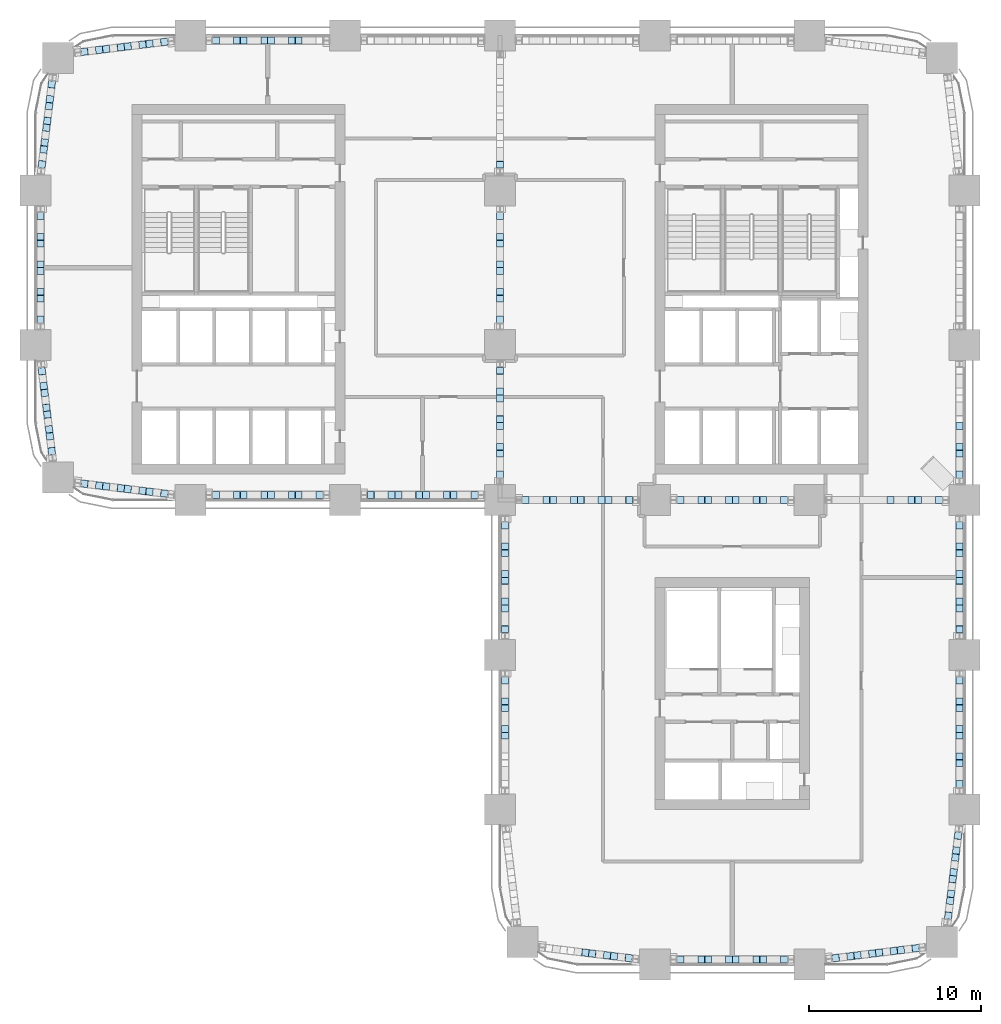
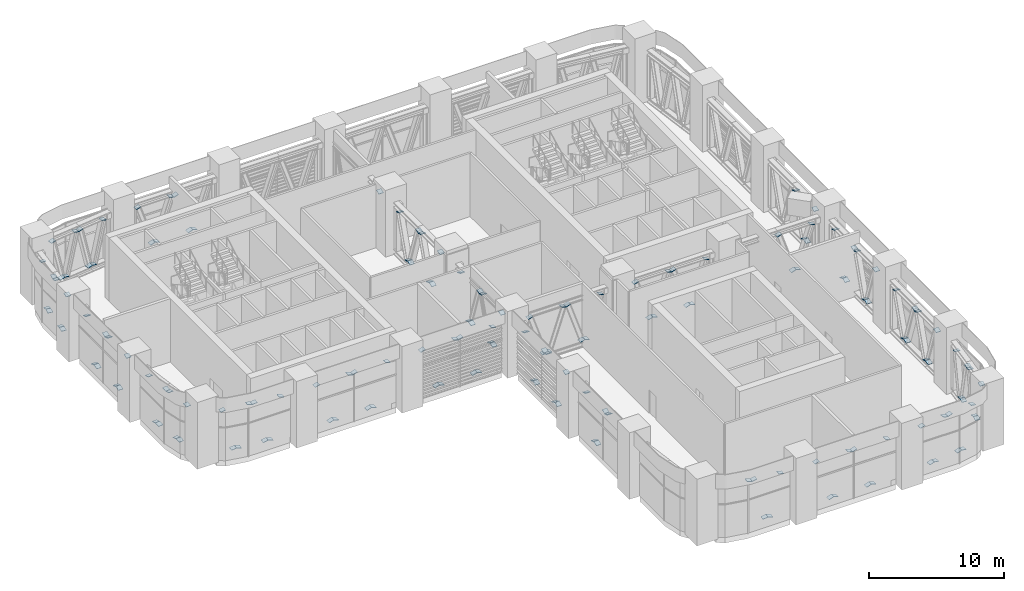
# One storey, part 14 of 24: 162 plates.
"""IFC4 building model written with IfcOpenShell, lengths in metres."""

from ifc_helpers import new_model, si_unit, direction, frame, origin, origin_2d, place, context, subcontext, project, spatial, rectangle, extrude, material, layer, layer_set, type_object, element, save


model = new_model("IFC4")

# Units and contexts
model_context = context("Model", 3, precision=1e-05, world=origin(), true_north=direction((0.0, 1.0)))
body_context = subcontext(model_context, "Body", "Model", "MODEL_VIEW")
ifc_project = project(units=[si_unit("LENGTHUNIT", "METRE"), si_unit("AREAUNIT", "SQUARE_METRE"), si_unit("VOLUMEUNIT", "CUBIC_METRE"), si_unit("PLANEANGLEUNIT", "RADIAN"), si_unit("MASSUNIT", "GRAM", prefix="KILO")], contexts=[model_context])

# Site, building, storey
site_placement = place(None, origin())
site = spatial("IfcSite", under=ifc_project, at=site_placement, CompositionType="ELEMENT")
building_placement = place(site_placement, origin())
building = spatial("IfcBuilding", under=site, at=building_placement, Name="Tessera Arch", CompositionType="ELEMENT")
storey_placement = place(building_placement, frame((0.0, 0.0, 123.39990234375)))
storey = spatial("IfcBuildingStorey", under=building, at=storey_placement, Name="L29", CompositionType="ELEMENT", Elevation=123.39990234375)

# Plates
ifc_material = material(Name="Steel A572 Gr50", Category="steel")
ifc_layer = layer(ifc_material, 0.0400390625)
ifc_layer_set = layer_set([ifc_layer], Name="End plate W14x257")
plate_type = type_object("IfcPlateType", Name="End plate W14x257", PredefinedType="SHEET", material=ifc_layer_set)
for number, where, z_axis, x_axis, name in (
    (1, (15.306396484375, 53.699951171875, 0.557373046875), (-0.316227766017, 0.0, -0.948683298051), (0.0, -1.0, 0.0), "End plate Belt truss diagonal 1 end 2"),
    (2, (14.91259765625, 53.699951171875, 0.519287109375), (-0.316227766017, 0.0, 0.948683298051), (0.0, -1.0, 0.0), "End plate Belt truss diagonal 2 end 1"),
    (3, (13.703369140625, 53.699951171875, 4.142822265625), (-0.316227766017, 0.0, 0.948683298051), (0.0, -1.0, 0.0), "End plate Belt truss diagonal 2 end 2"),
    (4, (13.309326171875, 53.699951171875, 4.180908203125), (-0.316227766017, 0.0, -0.948683298051), (0.0, -1.0, 0.0), "End plate Belt truss diagonal 3 end 1"),
    (5, (12.10009765625, 53.699951171875, 0.557373046875), (-0.316227766017, 0.0, -0.948683298051), (0.0, -1.0, 0.0), "End plate Belt truss diagonal 3 end 2"),
    (6, (11.706298828125, 53.699951171875, 0.519287109375), (-0.316227766017, 0.0, 0.948683298051), (0.0, -1.0, 0.0), "End plate Belt truss diagonal 4 end 1"),
    (7, (10.4970703125, 53.699951171875, 4.142822265625), (-0.316227766017, 0.0, 0.948683298051), (0.0, -1.0, 0.0), "End plate Belt truss diagonal 4 end 2"),
    (8, (7.4873046875, 53.623046875, 4.199462890625), (-0.225237403834, -0.024349989604, -0.973999584148), (0.10748184298, -0.994207047566, 0.0), "End plate Belt truss diagonal 1 end 1"),
    (9, (6.62939453125, 53.5185546875, 0.539794921875), (-0.231004106598, -0.024316221747, -0.972648869888), (0.104684784518, -0.994505452921, 0.0), "End plate Belt truss diagonal 1 end 2"),
    (10, (6.227783203125, 53.4697265625, 0.500732421875), (-0.225199852793, -0.03043241254, 0.973837201266), (0.133917896001, -0.99099243041, 0.0), "End plate Belt truss diagonal 2 end 1"),
    (11, (5.36962890625, 53.364990234375, 4.160400390625), (-0.225237403834, -0.024349989604, 0.973999584148), (0.10748184298, -0.994207047566, 0.0), "End plate Belt truss diagonal 2 end 2"),
    (12, (4.96826171875, 53.316162109375, 4.199462890625), (-0.231004106598, -0.024316221747, -0.972648869888), (0.104684784518, -0.994505452921, 0.0), "End plate Belt truss diagonal 3 end 1"),
):
    element("IfcPlate", number, at=place(storey_placement, frame(where, z_axis=z_axis, x_axis=x_axis)), inside=storey, type_object=plate_type, Name=name, PredefinedType="SHEET", context=body_context, shape_type="SweptSolid", body=[
        extrude(rectangle(XDim=0.406494140625, YDim=0.41650390625, at=origin_2d()), origin(), (0.0, 0.0, 1.0), 0.0400390625),
    ])
plate_1_placement = place(storey_placement, frame((4.110107421875, 53.211669921875, 0.539794921875), z_axis=(-0.230965700861, -0.030390223798, -0.972487161521), x_axis=(0.130454512571, -0.991454295543, 0.0)))
element("IfcPlate", 13, at=plate_1_placement, inside=storey, type_object=plate_type, Name="End plate Belt truss diagonal 3 end 2", PredefinedType="SHEET", context=body_context, shape_type="SweptSolid", body=[
    extrude(rectangle(XDim=0.406494140625, YDim=0.41650390625, at=origin_2d()), origin(), (0.0, 0.0, 1.0), 0.040283203125),
])
for number, where, z_axis, x_axis, name in (
    (14, (3.70849609375, 53.16259765625, 0.500732421875), (-0.225237403834, -0.024349989604, 0.973999584148), (0.10748184298, -0.994207047566, 0.0), "End plate Belt truss diagonal 4 end 1"),
    (15, (2.850341796875, 53.05810546875, 4.160400390625), (-0.225237403834, -0.024349989604, 0.973999584148), (0.10748184298, -0.994207047566, 0.0), "End plate Belt truss diagonal 4 end 2"),
    (16, (0.94287109375, 51.15869140625, 4.199462890625), (-0.024349989604, -0.225237403834, -0.973999584148), (0.994207047566, -0.10748184298, 0.0), "End plate Belt truss diagonal 1 end 1"),
    (17, (0.83837890625, 50.300537109375, 0.539794921875), (-0.024349989604, -0.225237403834, -0.973999584148), (0.994207047566, -0.10748184298, 0.0), "End plate Belt truss diagonal 1 end 2"),
):
    element("IfcPlate", number, at=place(storey_placement, frame(where, z_axis=z_axis, x_axis=x_axis)), inside=storey, type_object=plate_type, Name=name, PredefinedType="SHEET", context=body_context, shape_type="SweptSolid", body=[
        extrude(rectangle(XDim=0.406494140625, YDim=0.41650390625, at=origin_2d()), origin(), (0.0, 0.0, 1.0), 0.0400390625),
    ])
plate_2_placement = place(storey_placement, frame((0.78955078125, 49.899169921875, 0.500732421875), z_axis=(-0.030390223798, -0.230965700861, 0.972487161521), x_axis=(0.991454295543, -0.130454512571, 0.0)))
element("IfcPlate", 18, at=plate_2_placement, inside=storey, type_object=plate_type, Name="End plate Belt truss diagonal 2 end 1", PredefinedType="SHEET", context=body_context, shape_type="SweptSolid", body=[
    extrude(rectangle(XDim=0.406494140625, YDim=0.41650390625, at=origin_2d()), origin(), (0.0, 0.0, 1.0), 0.040283203125),
])
for number, where, z_axis, x_axis, name in (
    (19, (0.684814453125, 49.041015625, 4.160400390625), (-0.024316221747, -0.231004106598, 0.972648869888), (0.994505452921, -0.104684784518, 0.0), "End plate Belt truss diagonal 2 end 2"),
    (20, (0.635986328125, 48.639404296875, 4.199462890625), (-0.024349989604, -0.225237403834, -0.973999584148), (0.994207047566, -0.10748184298, 0.0), "End plate Belt truss diagonal 3 end 1"),
    (21, (0.531494140625, 47.78125, 0.539794921875), (-0.03043241254, -0.225199852793, -0.973837201266), (0.99099243041, -0.133917896001, 0.0), "End plate Belt truss diagonal 3 end 2"),
    (22, (0.482421875, 47.3798828125, 0.500732421875), (-0.024316221747, -0.231004106598, 0.972648869888), (0.994505452921, -0.104684784518, 0.0), "End plate Belt truss diagonal 4 end 1"),
    (23, (0.3779296875, 46.521728515625, 4.160400390625), (-0.024349989604, -0.225237403834, 0.973999584148), (0.994207047566, -0.10748184298, 0.0), "End plate Belt truss diagonal 4 end 2"),
    (24, (0.300048828125, 43.515625, 4.180908203125), (0.0, -0.316227766017, -0.948683298051), (1.0, 0.0, 0.0), "End plate Belt truss diagonal 1 end 1"),
    (25, (0.300048828125, 42.306396484375, 0.557373046875), (0.0, -0.316227766017, -0.948683298051), (1.0, 0.0, 0.0), "End plate Belt truss diagonal 1 end 2"),
    (26, (0.300048828125, 41.91259765625, 0.519287109375), (0.0, -0.316227766017, 0.948683298051), (1.0, 0.0, 0.0), "End plate Belt truss diagonal 2 end 1"),
    (27, (0.300048828125, 40.703369140625, 4.142822265625), (0.0, -0.316227766017, 0.948683298051), (1.0, 0.0, 0.0), "End plate Belt truss diagonal 2 end 2"),
    (28, (0.300048828125, 40.309326171875, 4.180908203125), (0.0, -0.316227766017, -0.948683298051), (1.0, 0.0, 0.0), "End plate Belt truss diagonal 3 end 1"),
    (29, (0.300048828125, 39.10009765625, 0.557373046875), (0.0, -0.316227766017, -0.948683298051), (1.0, 0.0, 0.0), "End plate Belt truss diagonal 3 end 2"),
    (30, (0.300048828125, 38.706298828125, 0.519287109375), (0.0, -0.316227766017, 0.948683298051), (1.0, 0.0, 0.0), "End plate Belt truss diagonal 4 end 1"),
    (31, (0.300048828125, 37.4970703125, 4.142822265625), (0.0, -0.316227766017, 0.948683298051), (1.0, 0.0, 0.0), "End plate Belt truss diagonal 4 end 2"),
    (32, (0.376953125, 34.4873046875, 4.199462890625), (0.024349989604, -0.225237403834, -0.973999584148), (0.994207047566, 0.10748184298, 0.0), "End plate Belt truss diagonal 1 end 1"),
    (33, (0.4814453125, 33.62939453125, 0.539794921875), (0.024316221747, -0.231004106598, -0.972648869888), (0.994505452921, 0.104684784518, 0.0), "End plate Belt truss diagonal 1 end 2"),
    (34, (0.5302734375, 33.227783203125, 0.500732421875), (0.03043241254, -0.225199852793, 0.973837201266), (0.99099243041, 0.133917896001, 0.0), "End plate Belt truss diagonal 2 end 1"),
    (35, (0.635009765625, 32.36962890625, 4.160400390625), (0.024349989604, -0.225237403834, 0.973999584148), (0.994207047566, 0.10748184298, 0.0), "End plate Belt truss diagonal 2 end 2"),
    (36, (0.683837890625, 31.96826171875, 4.199462890625), (0.024316221747, -0.231004106598, -0.972648869888), (0.994505452921, 0.104684784518, 0.0), "End plate Belt truss diagonal 3 end 1"),
):
    element("IfcPlate", number, at=place(storey_placement, frame(where, z_axis=z_axis, x_axis=x_axis)), inside=storey, type_object=plate_type, Name=name, PredefinedType="SHEET", context=body_context, shape_type="SweptSolid", body=[
        extrude(rectangle(XDim=0.406494140625, YDim=0.41650390625, at=origin_2d()), origin(), (0.0, 0.0, 1.0), 0.0400390625),
    ])
plate_3_placement = place(storey_placement, frame((0.788330078125, 31.110107421875, 0.539794921875), z_axis=(0.030390223798, -0.230965700861, -0.972487161521), x_axis=(0.991454295543, 0.130454512571, 0.0)))
element("IfcPlate", 37, at=plate_3_placement, inside=storey, type_object=plate_type, Name="End plate Belt truss diagonal 3 end 2", PredefinedType="SHEET", context=body_context, shape_type="SweptSolid", body=[
    extrude(rectangle(XDim=0.406494140625, YDim=0.41650390625, at=origin_2d()), origin(), (0.0, 0.0, 1.0), 0.040283203125),
])
for number, where, z_axis, x_axis, name in (
    (38, (0.83740234375, 30.70849609375, 0.500732421875), (0.024349989604, -0.225237403834, 0.973999584148), (0.994207047566, 0.10748184298, 0.0), "End plate Belt truss diagonal 4 end 1"),
    (39, (0.94189453125, 29.850341796875, 4.160400390625), (0.024349989604, -0.225237403834, 0.973999584148), (0.994207047566, 0.10748184298, 0.0), "End plate Belt truss diagonal 4 end 2"),
    (40, (2.84130859375, 27.94287109375, 4.199462890625), (0.225237403834, -0.024349989604, -0.973999584148), (0.10748184298, 0.994207047566, 0.0), "End plate Belt truss diagonal 1 end 1"),
    (41, (3.699462890625, 27.83837890625, 0.539794921875), (0.225237403834, -0.024349989604, -0.973999584148), (0.10748184298, 0.994207047566, 0.0), "End plate Belt truss diagonal 1 end 2"),
):
    element("IfcPlate", number, at=place(storey_placement, frame(where, z_axis=z_axis, x_axis=x_axis)), inside=storey, type_object=plate_type, Name=name, PredefinedType="SHEET", context=body_context, shape_type="SweptSolid", body=[
        extrude(rectangle(XDim=0.406494140625, YDim=0.41650390625, at=origin_2d()), origin(), (0.0, 0.0, 1.0), 0.0400390625),
    ])
plate_4_placement = place(storey_placement, frame((4.100830078125, 27.78955078125, 0.500732421875), z_axis=(0.230965700861, -0.030390223798, 0.972487161521), x_axis=(0.130454512571, 0.991454295543, 0.0)))
element("IfcPlate", 42, at=plate_4_placement, inside=storey, type_object=plate_type, Name="End plate Belt truss diagonal 2 end 1", PredefinedType="SHEET", context=body_context, shape_type="SweptSolid", body=[
    extrude(rectangle(XDim=0.406494140625, YDim=0.41650390625, at=origin_2d()), origin(), (0.0, 0.0, 1.0), 0.040283203125),
])
for number, where, z_axis, x_axis, name in (
    (43, (4.958984375, 27.684814453125, 4.160400390625), (0.231004106598, -0.024316221747, 0.972648869888), (0.104684784518, 0.994505452921, 0.0), "End plate Belt truss diagonal 2 end 2"),
    (44, (5.360595703125, 27.635986328125, 4.199462890625), (0.225237403834, -0.024349989604, -0.973999584148), (0.10748184298, 0.994207047566, 0.0), "End plate Belt truss diagonal 3 end 1"),
    (45, (6.21875, 27.531494140625, 0.539794921875), (0.225199852793, -0.03043241254, -0.973837201266), (0.133917896001, 0.99099243041, 0.0), "End plate Belt truss diagonal 3 end 2"),
    (46, (6.6201171875, 27.482421875, 0.500732421875), (0.231004106598, -0.024316221747, 0.972648869888), (0.104684784518, 0.994505452921, 0.0), "End plate Belt truss diagonal 4 end 1"),
    (47, (7.478271484375, 27.3779296875, 4.160400390625), (0.225237403834, -0.024349989604, 0.973999584148), (0.10748184298, 0.994207047566, 0.0), "End plate Belt truss diagonal 4 end 2"),
    (48, (10.484375, 27.300048828125, 4.180908203125), (0.316227766017, 0.0, -0.948683298051), (0.0, 1.0, 0.0), "End plate Belt truss diagonal 1 end 1"),
    (49, (11.693603515625, 27.300048828125, 0.557373046875), (0.316227766017, 0.0, -0.948683298051), (0.0, 1.0, 0.0), "End plate Belt truss diagonal 1 end 2"),
    (50, (12.08740234375, 27.300048828125, 0.519287109375), (0.316227766017, 0.0, 0.948683298051), (0.0, 1.0, 0.0), "End plate Belt truss diagonal 2 end 1"),
    (51, (13.296630859375, 27.300048828125, 4.142822265625), (0.316227766017, 0.0, 0.948683298051), (0.0, 1.0, 0.0), "End plate Belt truss diagonal 2 end 2"),
    (52, (13.690673828125, 27.300048828125, 4.180908203125), (0.316227766017, 0.0, -0.948683298051), (0.0, 1.0, 0.0), "End plate Belt truss diagonal 3 end 1"),
    (53, (14.89990234375, 27.300048828125, 0.557373046875), (0.316227766017, 0.0, -0.948683298051), (0.0, 1.0, 0.0), "End plate Belt truss diagonal 3 end 2"),
    (54, (15.293701171875, 27.300048828125, 0.519287109375), (0.316227766017, 0.0, 0.948683298051), (0.0, 1.0, 0.0), "End plate Belt truss diagonal 4 end 1"),
    (55, (16.5029296875, 27.300048828125, 4.142822265625), (0.316227766017, 0.0, 0.948683298051), (0.0, 1.0, 0.0), "End plate Belt truss diagonal 4 end 2"),
    (56, (19.484375, 27.300048828125, 4.180908203125), (0.316227766017, 0.0, -0.948683298051), (0.0, 1.0, 0.0), "End plate Belt truss diagonal 1 end 1"),
    (57, (20.693603515625, 27.300048828125, 0.557373046875), (0.316227766017, 0.0, -0.948683298051), (0.0, 1.0, 0.0), "End plate Belt truss diagonal 1 end 2"),
    (58, (21.08740234375, 27.300048828125, 0.519287109375), (0.316227766017, 0.0, 0.948683298051), (0.0, 1.0, 0.0), "End plate Belt truss diagonal 2 end 1"),
    (59, (22.296630859375, 27.300048828125, 4.142822265625), (0.316227766017, 0.0, 0.948683298051), (0.0, 1.0, 0.0), "End plate Belt truss diagonal 2 end 2"),
    (60, (22.690673828125, 27.300048828125, 4.180908203125), (0.316227766017, 0.0, -0.948683298051), (0.0, 1.0, 0.0), "End plate Belt truss diagonal 3 end 1"),
    (61, (23.89990234375, 27.300048828125, 0.557373046875), (0.316227766017, 0.0, -0.948683298051), (0.0, 1.0, 0.0), "End plate Belt truss diagonal 3 end 2"),
    (62, (24.293701171875, 27.300048828125, 0.519287109375), (0.316227766017, 0.0, 0.948683298051), (0.0, 1.0, 0.0), "End plate Belt truss diagonal 4 end 1"),
    (63, (25.5029296875, 27.300048828125, 4.142822265625), (0.316227766017, 0.0, 0.948683298051), (0.0, 1.0, 0.0), "End plate Belt truss diagonal 4 end 2"),
    (64, (27.300048828125, 25.515625, 4.180908203125), (0.0, -0.316227766017, -0.948683298051), (1.0, 0.0, 0.0), "End plate Belt truss diagonal 1 end 1"),
    (65, (27.300048828125, 24.306396484375, 0.557373046875), (0.0, -0.316227766017, -0.948683298051), (1.0, 0.0, 0.0), "End plate Belt truss diagonal 1 end 2"),
    (66, (27.300048828125, 23.91259765625, 0.519287109375), (0.0, -0.316227766017, 0.948683298051), (1.0, 0.0, 0.0), "End plate Belt truss diagonal 2 end 1"),
    (67, (27.300048828125, 22.703369140625, 4.142822265625), (0.0, -0.316227766017, 0.948683298051), (1.0, 0.0, 0.0), "End plate Belt truss diagonal 2 end 2"),
    (68, (27.300048828125, 22.309326171875, 4.180908203125), (0.0, -0.316227766017, -0.948683298051), (1.0, 0.0, 0.0), "End plate Belt truss diagonal 3 end 1"),
    (69, (27.300048828125, 21.10009765625, 0.557373046875), (0.0, -0.316227766017, -0.948683298051), (1.0, 0.0, 0.0), "End plate Belt truss diagonal 3 end 2"),
    (70, (27.300048828125, 20.706298828125, 0.519287109375), (0.0, -0.316227766017, 0.948683298051), (1.0, 0.0, 0.0), "End plate Belt truss diagonal 4 end 1"),
    (71, (27.300048828125, 19.4970703125, 4.142822265625), (0.0, -0.316227766017, 0.948683298051), (1.0, 0.0, 0.0), "End plate Belt truss diagonal 4 end 2"),
    (72, (27.300048828125, 16.515625, 4.180908203125), (0.0, -0.316227766017, -0.948683298051), (1.0, 0.0, 0.0), "End plate Belt truss diagonal 1 end 1"),
    (73, (27.300048828125, 15.306396484375, 0.557373046875), (0.0, -0.316227766017, -0.948683298051), (1.0, 0.0, 0.0), "End plate Belt truss diagonal 1 end 2"),
    (74, (27.300048828125, 14.91259765625, 0.519287109375), (0.0, -0.316227766017, 0.948683298051), (1.0, 0.0, 0.0), "End plate Belt truss diagonal 2 end 1"),
    (75, (27.300048828125, 13.703369140625, 4.142822265625), (0.0, -0.316227766017, 0.948683298051), (1.0, 0.0, 0.0), "End plate Belt truss diagonal 2 end 2"),
    (76, (27.300048828125, 13.309326171875, 4.180908203125), (0.0, -0.316227766017, -0.948683298051), (1.0, 0.0, 0.0), "End plate Belt truss diagonal 3 end 1"),
    (77, (31.958984375, 0.684814453125, 4.160400390625), (0.231004106598, -0.024316221747, 0.972648869888), (0.104684784518, 0.994505452921, 0.0), "End plate Belt truss diagonal 2 end 2"),
    (78, (32.360595703125, 0.635986328125, 4.199462890625), (0.225237403834, -0.024349989604, -0.973999584148), (0.10748184298, 0.994207047566, 0.0), "End plate Belt truss diagonal 3 end 1"),
    (79, (33.21875, 0.531494140625, 0.539794921875), (0.225199852793, -0.03043241254, -0.973837201266), (0.133917896001, 0.99099243041, 0.0), "End plate Belt truss diagonal 3 end 2"),
    (80, (33.6201171875, 0.482421875, 0.500732421875), (0.231004106598, -0.024316221747, 0.972648869888), (0.104684784518, 0.994505452921, 0.0), "End plate Belt truss diagonal 4 end 1"),
    (81, (34.478271484375, 0.3779296875, 4.160400390625), (0.225237403834, -0.024349989604, 0.973999584148), (0.10748184298, 0.994207047566, 0.0), "End plate Belt truss diagonal 4 end 2"),
    (82, (37.484375, 0.300048828125, 4.180908203125), (0.316227766017, 0.0, -0.948683298051), (0.0, 1.0, 0.0), "End plate Belt truss diagonal 1 end 1"),
    (83, (38.693603515625, 0.300048828125, 0.557373046875), (0.316227766017, 0.0, -0.948683298051), (0.0, 1.0, 0.0), "End plate Belt truss diagonal 1 end 2"),
    (84, (39.08740234375, 0.300048828125, 0.519287109375), (0.316227766017, 0.0, 0.948683298051), (0.0, 1.0, 0.0), "End plate Belt truss diagonal 2 end 1"),
    (85, (40.296630859375, 0.300048828125, 4.142822265625), (0.316227766017, 0.0, 0.948683298051), (0.0, 1.0, 0.0), "End plate Belt truss diagonal 2 end 2"),
    (86, (40.690673828125, 0.300048828125, 4.180908203125), (0.316227766017, 0.0, -0.948683298051), (0.0, 1.0, 0.0), "End plate Belt truss diagonal 3 end 1"),
    (87, (41.89990234375, 0.300048828125, 0.557373046875), (0.316227766017, 0.0, -0.948683298051), (0.0, 1.0, 0.0), "End plate Belt truss diagonal 3 end 2"),
    (88, (42.293701171875, 0.300048828125, 0.519287109375), (0.316227766017, 0.0, 0.948683298051), (0.0, 1.0, 0.0), "End plate Belt truss diagonal 4 end 1"),
    (89, (43.5029296875, 0.300048828125, 4.142822265625), (0.316227766017, 0.0, 0.948683298051), (0.0, 1.0, 0.0), "End plate Belt truss diagonal 4 end 2"),
    (90, (46.5126953125, 0.376953125, 4.199462890625), (0.225237403834, 0.024349989604, -0.973999584148), (-0.10748184298, 0.994207047566, 0.0), "End plate Belt truss diagonal 1 end 1"),
    (91, (47.37060546875, 0.4814453125, 0.539794921875), (0.231004106598, 0.024316221747, -0.972648869888), (-0.104684784518, 0.994505452921, 0.0), "End plate Belt truss diagonal 1 end 2"),
    (92, (47.772216796875, 0.5302734375, 0.500732421875), (0.225199852793, 0.03043241254, 0.973837201266), (-0.133917896001, 0.99099243041, 0.0), "End plate Belt truss diagonal 2 end 1"),
    (93, (48.63037109375, 0.635009765625, 4.160400390625), (0.225237403834, 0.024349989604, 0.973999584148), (-0.10748184298, 0.994207047566, 0.0), "End plate Belt truss diagonal 2 end 2"),
    (94, (49.03173828125, 0.683837890625, 4.199462890625), (0.231004106598, 0.024316221747, -0.972648869888), (-0.104684784518, 0.994505452921, 0.0), "End plate Belt truss diagonal 3 end 1"),
):
    element("IfcPlate", number, at=place(storey_placement, frame(where, z_axis=z_axis, x_axis=x_axis)), inside=storey, type_object=plate_type, Name=name, PredefinedType="SHEET", context=body_context, shape_type="SweptSolid", body=[
        extrude(rectangle(XDim=0.406494140625, YDim=0.41650390625, at=origin_2d()), origin(), (0.0, 0.0, 1.0), 0.0400390625),
    ])
plate_5_placement = place(storey_placement, frame((49.889892578125, 0.788330078125, 0.539794921875), z_axis=(0.230965700861, 0.030390223798, -0.972487161521), x_axis=(-0.130454512571, 0.991454295543, 0.0)))
element("IfcPlate", 95, at=plate_5_placement, inside=storey, type_object=plate_type, Name="End plate Belt truss diagonal 3 end 2", PredefinedType="SHEET", context=body_context, shape_type="SweptSolid", body=[
    extrude(rectangle(XDim=0.406494140625, YDim=0.41650390625, at=origin_2d()), origin(), (0.0, 0.0, 1.0), 0.040283203125),
])
for number, where, z_axis, x_axis, name in (
    (96, (50.29150390625, 0.83740234375, 0.500732421875), (0.225237403834, 0.024349989604, 0.973999584148), (-0.10748184298, 0.994207047566, 0.0), "End plate Belt truss diagonal 4 end 1"),
    (97, (51.149658203125, 0.94189453125, 4.160400390625), (0.225237403834, 0.024349989604, 0.973999584148), (-0.10748184298, 0.994207047566, 0.0), "End plate Belt truss diagonal 4 end 2"),
    (98, (53.05712890625, 2.84130859375, 4.199462890625), (0.024349989604, 0.225237403834, -0.973999584148), (-0.994207047566, 0.10748184298, 0.0), "End plate Belt truss diagonal 1 end 1"),
    (99, (53.16162109375, 3.699462890625, 0.539794921875), (0.024349989604, 0.225237403834, -0.973999584148), (-0.994207047566, 0.10748184298, 0.0), "End plate Belt truss diagonal 1 end 2"),
):
    element("IfcPlate", number, at=place(storey_placement, frame(where, z_axis=z_axis, x_axis=x_axis)), inside=storey, type_object=plate_type, Name=name, PredefinedType="SHEET", context=body_context, shape_type="SweptSolid", body=[
        extrude(rectangle(XDim=0.406494140625, YDim=0.41650390625, at=origin_2d()), origin(), (0.0, 0.0, 1.0), 0.0400390625),
    ])
plate_6_placement = place(storey_placement, frame((53.21044921875, 4.100830078125, 0.500732421875), z_axis=(0.030390223798, 0.230965700861, 0.972487161521), x_axis=(-0.991454295543, 0.130454512571, 0.0)))
element("IfcPlate", 100, at=plate_6_placement, inside=storey, type_object=plate_type, Name="End plate Belt truss diagonal 2 end 1", PredefinedType="SHEET", context=body_context, shape_type="SweptSolid", body=[
    extrude(rectangle(XDim=0.406494140625, YDim=0.41650390625, at=origin_2d()), origin(), (0.0, 0.0, 1.0), 0.040283203125),
])
for number, where, z_axis, x_axis, name in (
    (101, (53.315185546875, 4.958984375, 4.160400390625), (0.024316221747, 0.231004106598, 0.972648869888), (-0.994505452921, 0.104684784518, 0.0), "End plate Belt truss diagonal 2 end 2"),
    (102, (53.364013671875, 5.360595703125, 4.199462890625), (0.024349989604, 0.225237403834, -0.973999584148), (-0.994207047566, 0.10748184298, 0.0), "End plate Belt truss diagonal 3 end 1"),
    (103, (53.468505859375, 6.21875, 0.539794921875), (0.03043241254, 0.225199852793, -0.973837201266), (-0.99099243041, 0.133917896001, 0.0), "End plate Belt truss diagonal 3 end 2"),
    (104, (53.517578125, 6.6201171875, 0.500732421875), (0.024316221747, 0.231004106598, 0.972648869888), (-0.994505452921, 0.104684784518, 0.0), "End plate Belt truss diagonal 4 end 1"),
    (105, (53.6220703125, 7.478271484375, 4.160400390625), (0.024349989604, 0.225237403834, 0.973999584148), (-0.994207047566, 0.10748184298, 0.0), "End plate Belt truss diagonal 4 end 2"),
    (106, (53.699951171875, 10.484375, 4.180908203125), (0.0, 0.316227766017, -0.948683298051), (-1.0, 0.0, 0.0), "End plate Belt truss diagonal 1 end 1"),
    (107, (53.699951171875, 11.693603515625, 0.557373046875), (0.0, 0.316227766017, -0.948683298051), (-1.0, 0.0, 0.0), "End plate Belt truss diagonal 1 end 2"),
    (108, (53.699951171875, 12.08740234375, 0.519287109375), (0.0, 0.316227766017, 0.948683298051), (-1.0, 0.0, 0.0), "End plate Belt truss diagonal 2 end 1"),
    (109, (53.699951171875, 13.296630859375, 4.142822265625), (0.0, 0.316227766017, 0.948683298051), (-1.0, 0.0, 0.0), "End plate Belt truss diagonal 2 end 2"),
    (110, (53.699951171875, 13.690673828125, 4.180908203125), (0.0, 0.316227766017, -0.948683298051), (-1.0, 0.0, 0.0), "End plate Belt truss diagonal 3 end 1"),
    (111, (53.699951171875, 14.89990234375, 0.557373046875), (0.0, 0.316227766017, -0.948683298051), (-1.0, 0.0, 0.0), "End plate Belt truss diagonal 3 end 2"),
    (112, (53.699951171875, 15.293701171875, 0.519287109375), (0.0, 0.316227766017, 0.948683298051), (-1.0, 0.0, 0.0), "End plate Belt truss diagonal 4 end 1"),
    (113, (53.699951171875, 16.5029296875, 4.142822265625), (0.0, 0.316227766017, 0.948683298051), (-1.0, 0.0, 0.0), "End plate Belt truss diagonal 4 end 2"),
    (114, (53.699951171875, 19.484375, 4.180908203125), (0.0, 0.316227766017, -0.948683298051), (-1.0, 0.0, 0.0), "End plate Belt truss diagonal 1 end 1"),
    (115, (53.699951171875, 20.693603515625, 0.557373046875), (0.0, 0.316227766017, -0.948683298051), (-1.0, 0.0, 0.0), "End plate Belt truss diagonal 1 end 2"),
    (116, (53.699951171875, 21.08740234375, 0.519287109375), (0.0, 0.316227766017, 0.948683298051), (-1.0, 0.0, 0.0), "End plate Belt truss diagonal 2 end 1"),
    (117, (53.699951171875, 22.296630859375, 4.142822265625), (0.0, 0.316227766017, 0.948683298051), (-1.0, 0.0, 0.0), "End plate Belt truss diagonal 2 end 2"),
    (118, (53.699951171875, 22.690673828125, 4.180908203125), (0.0, 0.316227766017, -0.948683298051), (-1.0, 0.0, 0.0), "End plate Belt truss diagonal 3 end 1"),
    (119, (53.699951171875, 23.89990234375, 0.557373046875), (0.0, 0.316227766017, -0.948683298051), (-1.0, 0.0, 0.0), "End plate Belt truss diagonal 3 end 2"),
    (120, (53.699951171875, 24.293701171875, 0.519287109375), (0.0, 0.316227766017, 0.948683298051), (-1.0, 0.0, 0.0), "End plate Belt truss diagonal 4 end 1"),
    (121, (53.699951171875, 25.5029296875, 4.142822265625), (0.0, 0.316227766017, 0.948683298051), (-1.0, 0.0, 0.0), "End plate Belt truss diagonal 4 end 2"),
    (122, (53.699951171875, 28.484375, 4.180908203125), (0.0, 0.316227766017, -0.948683298051), (-1.0, 0.0, 0.0), "End plate Belt truss diagonal 1 end 1"),
    (123, (53.699951171875, 29.693603515625, 0.557373046875), (0.0, 0.316227766017, -0.948683298051), (-1.0, 0.0, 0.0), "End plate Belt truss diagonal 1 end 2"),
    (124, (53.699951171875, 30.08740234375, 0.519287109375), (0.0, 0.316227766017, 0.948683298051), (-1.0, 0.0, 0.0), "End plate Belt truss diagonal 2 end 1"),
    (125, (53.699951171875, 31.296630859375, 4.142822265625), (0.0, 0.316227766017, 0.948683298051), (-1.0, 0.0, 0.0), "End plate Belt truss diagonal 2 end 2"),
    (126, (27.0, 28.484375, 4.180908203125), (0.0, 0.316227766017, -0.948683298051), (-1.0, 0.0, 0.0), "End plate Belt truss diagonal 1 end 1"),
    (127, (27.0, 29.693603515625, 0.557373046875), (0.0, 0.316227766017, -0.948683298051), (-1.0, 0.0, 0.0), "End plate Belt truss diagonal 1 end 2"),
    (128, (27.0, 30.08740234375, 0.519287109375), (0.0, 0.316227766017, 0.948683298051), (-1.0, 0.0, 0.0), "End plate Belt truss diagonal 2 end 1"),
    (129, (27.0, 31.296630859375, 4.142822265625), (0.0, 0.316227766017, 0.948683298051), (-1.0, 0.0, 0.0), "End plate Belt truss diagonal 2 end 2"),
    (130, (27.0, 31.690673828125, 4.180908203125), (0.0, 0.316227766017, -0.948683298051), (-1.0, 0.0, 0.0), "End plate Belt truss diagonal 3 end 1"),
    (131, (27.0, 32.89990234375, 0.557373046875), (0.0, 0.316227766017, -0.948683298051), (-1.0, 0.0, 0.0), "End plate Belt truss diagonal 3 end 2"),
    (132, (27.0, 33.293701171875, 0.519287109375), (0.0, 0.316227766017, 0.948683298051), (-1.0, 0.0, 0.0), "End plate Belt truss diagonal 4 end 1"),
    (133, (27.0, 34.5029296875, 4.142822265625), (0.0, 0.316227766017, 0.948683298051), (-1.0, 0.0, 0.0), "End plate Belt truss diagonal 4 end 2"),
    (134, (27.0, 37.484375, 4.180908203125), (0.0, 0.316227766017, -0.948683298051), (-1.0, 0.0, 0.0), "End plate Belt truss diagonal 1 end 1"),
    (135, (27.0, 38.693603515625, 0.557373046875), (0.0, 0.316227766017, -0.948683298051), (-1.0, 0.0, 0.0), "End plate Belt truss diagonal 1 end 2"),
    (136, (27.0, 39.08740234375, 0.519287109375), (0.0, 0.316227766017, 0.948683298051), (-1.0, 0.0, 0.0), "End plate Belt truss diagonal 2 end 1"),
    (137, (27.0, 40.296630859375, 4.142822265625), (0.0, 0.316227766017, 0.948683298051), (-1.0, 0.0, 0.0), "End plate Belt truss diagonal 2 end 2"),
    (138, (27.0, 40.690673828125, 4.180908203125), (0.0, 0.316227766017, -0.948683298051), (-1.0, 0.0, 0.0), "End plate Belt truss diagonal 3 end 1"),
    (139, (27.0, 41.89990234375, 0.557373046875), (0.0, 0.316227766017, -0.948683298051), (-1.0, 0.0, 0.0), "End plate Belt truss diagonal 3 end 2"),
    (140, (27.0, 42.293701171875, 0.519287109375), (0.0, 0.316227766017, 0.948683298051), (-1.0, 0.0, 0.0), "End plate Belt truss diagonal 4 end 1"),
    (141, (27.0, 43.5029296875, 4.142822265625), (0.0, 0.316227766017, 0.948683298051), (-1.0, 0.0, 0.0), "End plate Belt truss diagonal 4 end 2"),
    (142, (27.0, 46.484375, 4.180908203125), (0.0, 0.316227766017, -0.948683298051), (-1.0, 0.0, 0.0), "End plate Belt truss diagonal 1 end 1"),
    (143, (28.484375, 27.0, 4.180908203125), (0.316227766017, 0.0, -0.948683298051), (0.0, 1.0, 0.0), "End plate Belt truss diagonal 1 end 1"),
    (144, (29.693603515625, 27.0, 0.557373046875), (0.316227766017, 0.0, -0.948683298051), (0.0, 1.0, 0.0), "End plate Belt truss diagonal 1 end 2"),
    (145, (30.08740234375, 27.0, 0.519287109375), (0.316227766017, 0.0, 0.948683298051), (0.0, 1.0, 0.0), "End plate Belt truss diagonal 2 end 1"),
    (146, (31.296630859375, 27.0, 4.142822265625), (0.316227766017, 0.0, 0.948683298051), (0.0, 1.0, 0.0), "End plate Belt truss diagonal 2 end 2"),
    (147, (31.690673828125, 27.0, 4.180908203125), (0.316227766017, 0.0, -0.948683298051), (0.0, 1.0, 0.0), "End plate Belt truss diagonal 3 end 1"),
    (148, (32.89990234375, 27.0, 0.557373046875), (0.316227766017, 0.0, -0.948683298051), (0.0, 1.0, 0.0), "End plate Belt truss diagonal 3 end 2"),
    (149, (33.293701171875, 27.0, 0.519287109375), (0.316227766017, 0.0, 0.948683298051), (0.0, 1.0, 0.0), "End plate Belt truss diagonal 4 end 1"),
    (150, (34.5029296875, 27.0, 4.142822265625), (0.316227766017, 0.0, 0.948683298051), (0.0, 1.0, 0.0), "End plate Belt truss diagonal 4 end 2"),
    (151, (37.484375, 27.0, 4.180908203125), (0.316227766017, 0.0, -0.948683298051), (0.0, 1.0, 0.0), "End plate Belt truss diagonal 1 end 1"),
    (152, (38.693603515625, 27.0, 0.557373046875), (0.316227766017, 0.0, -0.948683298051), (0.0, 1.0, 0.0), "End plate Belt truss diagonal 1 end 2"),
    (153, (39.08740234375, 27.0, 0.519287109375), (0.316227766017, 0.0, 0.948683298051), (0.0, 1.0, 0.0), "End plate Belt truss diagonal 2 end 1"),
    (154, (40.296630859375, 27.0, 4.142822265625), (0.316227766017, 0.0, 0.948683298051), (0.0, 1.0, 0.0), "End plate Belt truss diagonal 2 end 2"),
    (155, (40.690673828125, 27.0, 4.180908203125), (0.316227766017, 0.0, -0.948683298051), (0.0, 1.0, 0.0), "End plate Belt truss diagonal 3 end 1"),
    (156, (41.89990234375, 27.0, 0.557373046875), (0.316227766017, 0.0, -0.948683298051), (0.0, 1.0, 0.0), "End plate Belt truss diagonal 3 end 2"),
    (157, (42.293701171875, 27.0, 0.519287109375), (0.316227766017, 0.0, 0.948683298051), (0.0, 1.0, 0.0), "End plate Belt truss diagonal 4 end 1"),
    (158, (43.5029296875, 27.0, 4.142822265625), (0.316227766017, 0.0, 0.948683298051), (0.0, 1.0, 0.0), "End plate Belt truss diagonal 4 end 2"),
    (159, (49.690673828125, 27.0, 4.180908203125), (0.316227766017, 0.0, -0.948683298051), (0.0, 1.0, 0.0), "End plate Belt truss diagonal 3 end 1"),
    (160, (50.89990234375, 27.0, 0.557373046875), (0.316227766017, 0.0, -0.948683298051), (0.0, 1.0, 0.0), "End plate Belt truss diagonal 3 end 2"),
    (161, (51.293701171875, 27.0, 0.519287109375), (0.316227766017, 0.0, 0.948683298051), (0.0, 1.0, 0.0), "End plate Belt truss diagonal 4 end 1"),
    (162, (52.5029296875, 27.0, 4.142822265625), (0.316227766017, 0.0, 0.948683298051), (0.0, 1.0, 0.0), "End plate Belt truss diagonal 4 end 2"),
):
    element("IfcPlate", number, at=place(storey_placement, frame(where, z_axis=z_axis, x_axis=x_axis)), inside=storey, type_object=plate_type, Name=name, PredefinedType="SHEET", context=body_context, shape_type="SweptSolid", body=[
        extrude(rectangle(XDim=0.406494140625, YDim=0.41650390625, at=origin_2d()), origin(), (0.0, 0.0, 1.0), 0.0400390625),
    ])

save(model, "model.ifc")
